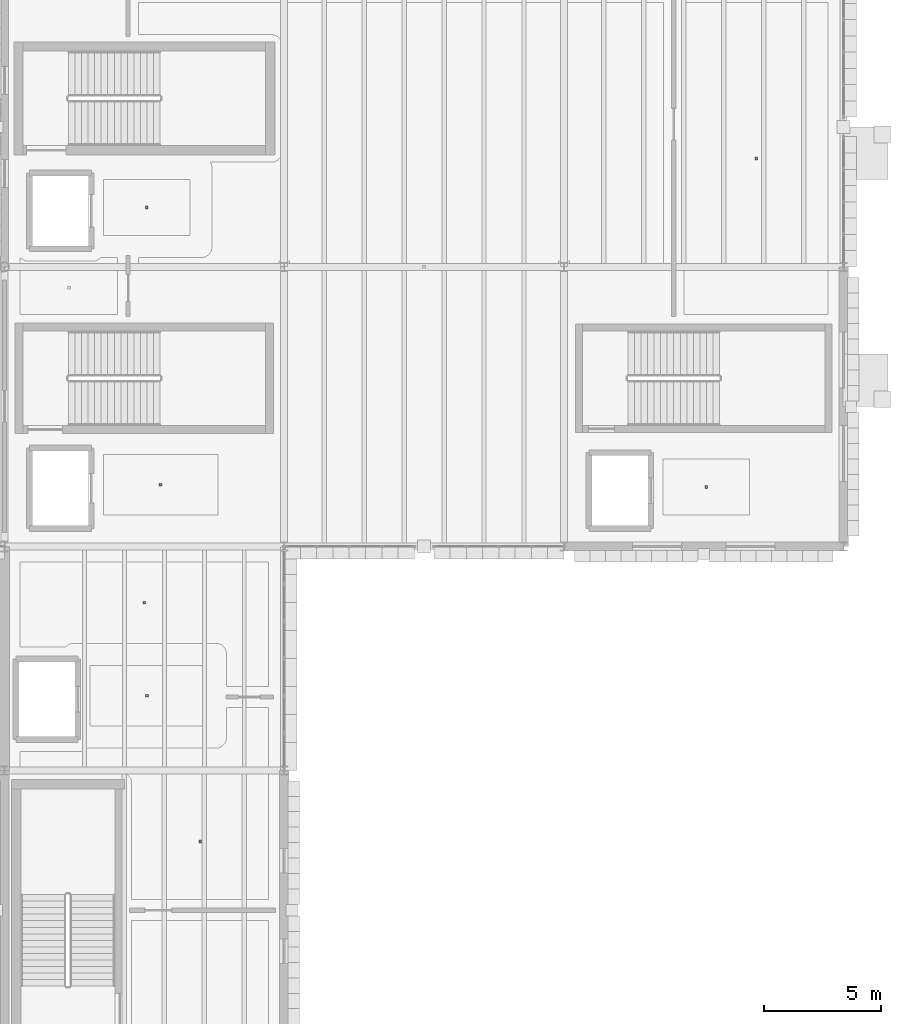
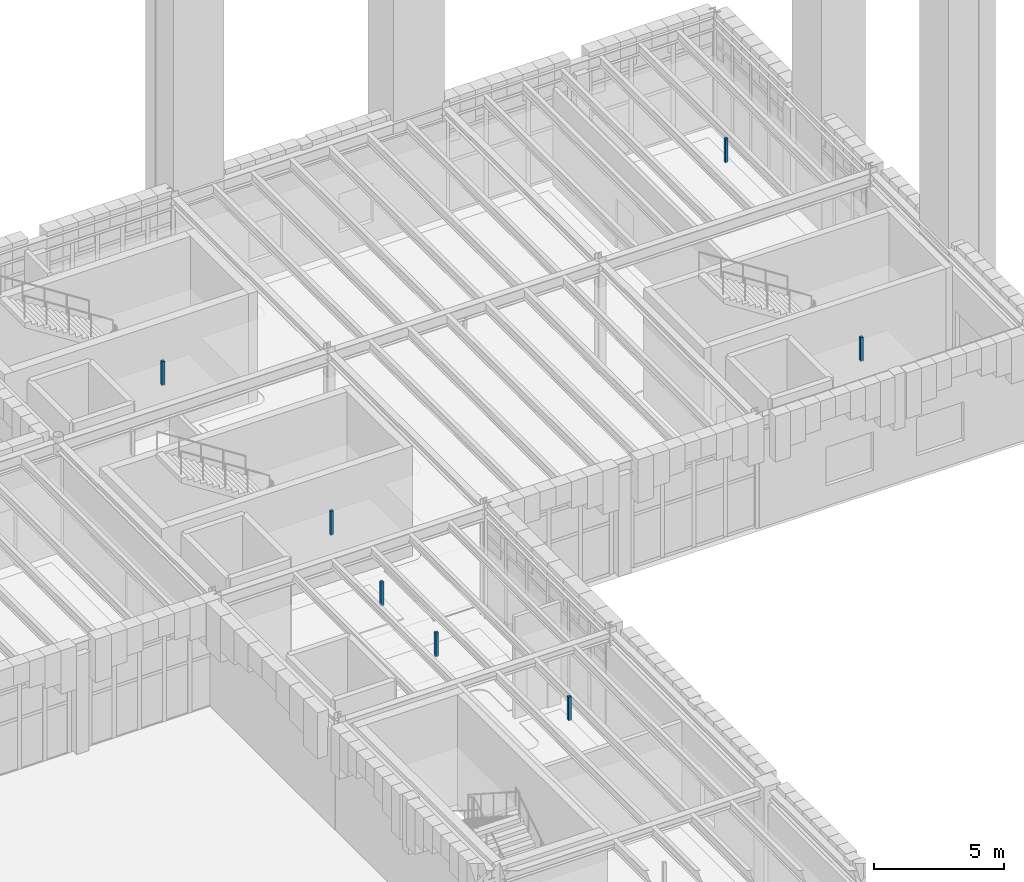
# One storey, part 66 of 103: 7 discrete accessories.
"""IFC4 building model written with IfcOpenShell, lengths in metres."""

from ifc_helpers import new_model, si_unit, direction, frame, origin, origin_2d, place, context, subcontext, project, spatial, rectangle, extrude, material, type_object, element, save


model = new_model("IFC4")

# Units and contexts
model_context = context("Model", 3, precision=1e-05, world=origin(), true_north=direction((0.0, 1.0)))
body_context = subcontext(model_context, "Body", "Model", "MODEL_VIEW")
ifc_project = project(units=[si_unit("LENGTHUNIT", "METRE"), si_unit("AREAUNIT", "SQUARE_METRE"), si_unit("VOLUMEUNIT", "CUBIC_METRE"), si_unit("PLANEANGLEUNIT", "RADIAN"), si_unit("MASSUNIT", "GRAM", prefix="KILO")], contexts=[model_context])

# Site, building, storey
site_placement = place(None, origin())
site = spatial("IfcSite", under=ifc_project, at=site_placement, CompositionType="ELEMENT")
building_placement = place(site_placement, origin())
building = spatial("IfcBuilding", under=site, at=building_placement, Name="Zlatogorsky Bluff Art Gallery", CompositionType="ELEMENT")
storey_placement = place(building_placement, origin())
storey = spatial("IfcBuildingStorey", under=building, at=storey_placement, Name="L00", CompositionType="ELEMENT", Elevation=0.0)

# Discrete accessories
ifc_material = material(Name="Steel S355", Category="steel")
discrete_accessory_type = type_object("IfcDiscreteAccessoryType", Name="Stainless Facade Fin Bracket BRK-01", PredefinedType="BRACKET", material=ifc_material)
for number, where, z_axis, x_axis, name in (
    (1, (126.1201171875, 77.60009765625, 4.05517578125), (0.0, 0.0, 1.0), (1.0, 0.0, 0.0), "Acoustic ceiling suspension hanger L00-FL-1-LB"),
    (2, (126.699951171875, 86.64990234375, 4.05517578125), (0.0, 0.0, 1.0), (1.0, 0.0, 0.0), "Acoustic ceiling suspension hanger L00-FL-2-LB"),
    (3, (126.10009765625, 98.550048828125, 4.05517578125), (0.0, 0.0, 1.0), (1.0, 0.0, 0.0), "Acoustic ceiling suspension hanger L00-PL-1-LB"),
    (4, (150.10009765625, 86.550048828125, 4.05517578125), (0.0, 0.0, 1.0), (1.0, 0.0, 0.0), "Acoustic ceiling suspension hanger L00-PL-2-LB"),
    (5, (128.39501953125, 71.3505859375, 4.05517578125), (0.0, 0.0, 1.0), (1.0, 0.0, 0.0), "Acoustic ceiling suspension hanger L00-C2-13"),
    (6, (126.0, 81.590087890625, 4.05517578125), (0.0, 0.0, 1.0), (1.0, 0.0, 0.0), "Acoustic ceiling suspension hanger L00-C2-14"),
    (7, (152.245361328125, 100.64501953125, 4.05517578125), (0.0, 0.0, 1.0), (1.0, 0.0, 0.0), "Acoustic ceiling suspension hanger L00-ST-13"),
):
    element("IfcDiscreteAccessory", number, at=place(storey_placement, frame(where, z_axis=z_axis, x_axis=x_axis)), inside=storey, type_object=discrete_accessory_type, Name=name, PredefinedType="BRACKET", context=body_context, shape_type="SweptSolid", body=[
        extrude(rectangle(XDim=0.1201171875, YDim=0.1201171875, at=origin_2d()), origin(), (0.0, 0.0, 1.0), 1.110107421875),
    ])

save(model, "model.ifc")
